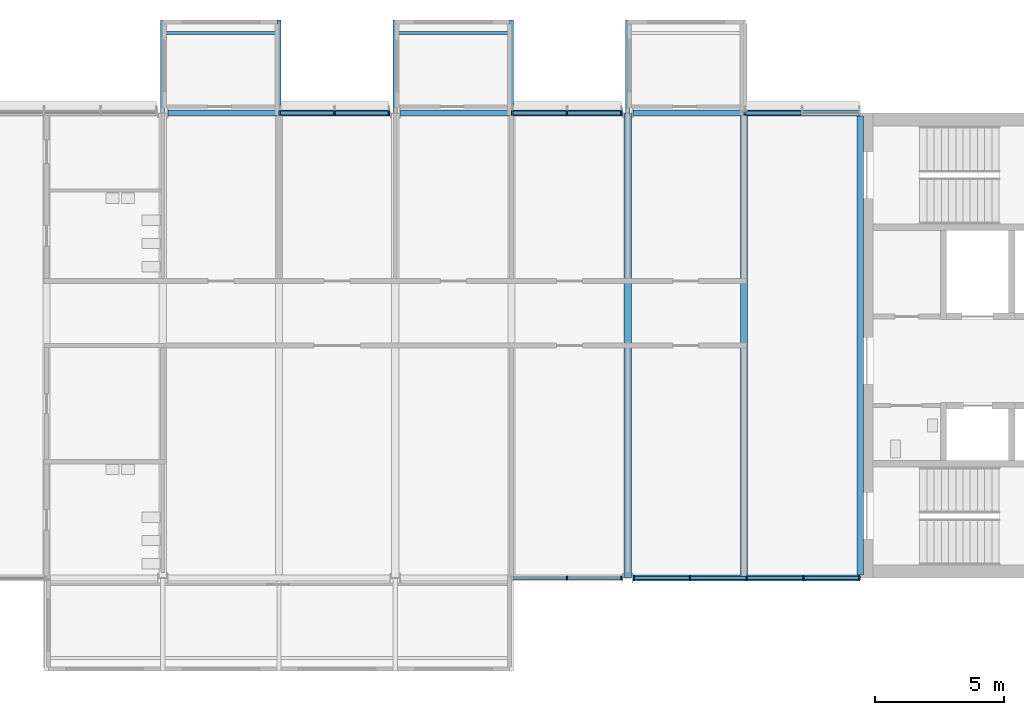
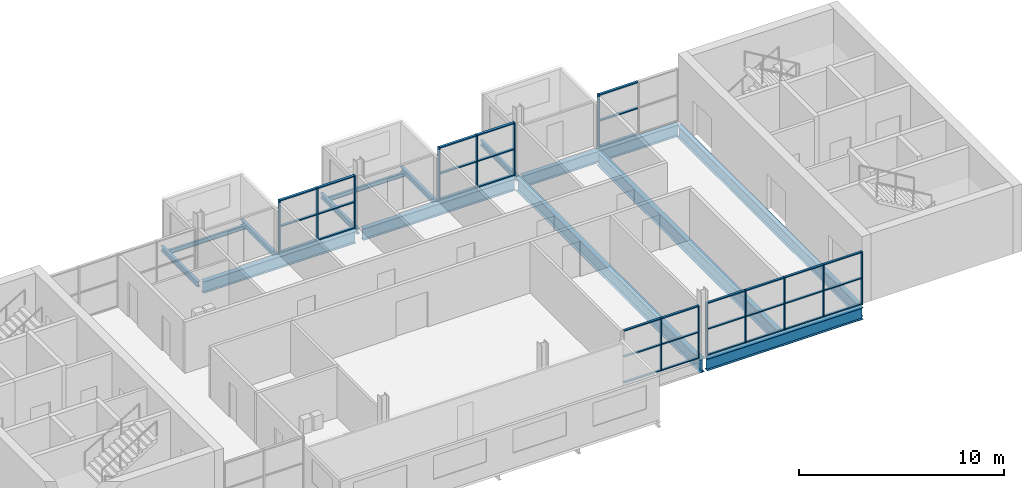
# One storey, part 2 of 12: 47 members, 14 beams, 5 elements without a shape of their own.
"""IFC4 building model written with IfcOpenShell, lengths in metres."""

from ifc_helpers import new_model, si_unit, direction, frame, origin, origin_2d, place, context, subcontext, project, spatial, rectangle, i_section, extrude, material, layer, layer_set, material_profile, profile_set, type_object, element, aggregate, save


model = new_model("IFC4")

# Units and contexts
model_context = context("Model", 3, precision=1e-05, world=origin(), true_north=direction((0.0, 1.0)))
body_context = subcontext(model_context, "Body", "Model", "MODEL_VIEW")
ifc_project = project(units=[si_unit("LENGTHUNIT", "METRE"), si_unit("AREAUNIT", "SQUARE_METRE"), si_unit("VOLUMEUNIT", "CUBIC_METRE"), si_unit("PLANEANGLEUNIT", "RADIAN"), si_unit("MASSUNIT", "GRAM", prefix="KILO")], contexts=[model_context])

# Site, building, storey
site_placement = place(None, origin())
site = spatial("IfcSite", under=ifc_project, at=site_placement, CompositionType="ELEMENT")
building_placement = place(site_placement, origin())
building = spatial("IfcBuilding", under=site, at=building_placement, Name="Corbel Yard City Hall", CompositionType="ELEMENT")
storey_placement = place(building_placement, frame((0.0, 0.0, 31.199951171875)))
storey = spatial("IfcBuildingStorey", under=building, at=storey_placement, Name="L07", CompositionType="ELEMENT", Elevation=31.199951171875)

# Beams
ifc_material_1 = material(Name="Steel Grade 350", Category="steel")
ifc_material_profile_1 = material_profile(ifc_material_1, i_section(OverallWidth=0.25, OverallDepth=0.699951171875, WebThickness=0.010009765625, FlangeThickness=0.02001953125, at=origin_2d()), Name="700WB130")
ifc_profile_set_1 = profile_set([ifc_material_profile_1], Name="Steel Grade 350")
beam_type_1 = type_object("IfcBeamType", Name="Edge beam 700WB130", PredefinedType="BEAM", material=ifc_profile_set_1)
beam_1_placement = place(storey_placement, frame((36.20703125, 99.0, -0.5), z_axis=(1.0, 0.0, 0.0), x_axis=(0.0, 1.0, 0.0)))
element("IfcBeam", 1, at=beam_1_placement, inside=storey, type_object=beam_type_1, Name="Edge beam 700WB130 EB9 L07tower", PredefinedType="BEAM", context=body_context, shape_type="SweptSolid", body=[
    extrude(i_section(OverallWidth=0.25, OverallDepth=0.699951171875, WebThickness=0.010009765625, FlangeThickness=0.02001953125, at=origin_2d()), origin(), (0.0, 0.0, 1.0), 8.79296875),
])
for number, where, z_axis, x_axis, name in (
    (2, (18.20703125, 117.0, -0.5), (1.0, 0.0, 0.0), (0.0, 1.0, 0.0), "Edge beam 700WB130 EB9 L07tower"),
    (3, (27.20703125, 117.0, -0.5), (1.0, 0.0, 0.0), (0.0, 1.0, 0.0), "Edge beam 700WB130 EB9 L07tower"),
):
    element("IfcBeam", number, at=place(storey_placement, frame(where, z_axis=z_axis, x_axis=x_axis)), inside=storey, type_object=beam_type_1, Name=name, PredefinedType="BEAM", context=body_context, shape_type="SweptSolid", body=[
        extrude(i_section(OverallWidth=0.25, OverallDepth=0.699951171875, WebThickness=0.010009765625, FlangeThickness=0.02001953125, at=origin_2d()), origin(), (0.0, 0.0, 1.0), 8.5859375),
    ])
beam_2_placement = place(storey_placement, frame((36.20703125, 117.0, -0.5), z_axis=(1.0, 0.0, 0.0), x_axis=(0.0, 1.0, 0.0)))
element("IfcBeam", 4, at=beam_2_placement, inside=storey, type_object=beam_type_1, Name="Edge beam 700WB130 EB9 L07tower", PredefinedType="BEAM", context=body_context, shape_type="SweptSolid", body=[
    extrude(i_section(OverallWidth=0.25, OverallDepth=0.699951171875, WebThickness=0.010009765625, FlangeThickness=0.02001953125, at=origin_2d()), origin(), (0.0, 0.0, 1.0), 8.79296875),
])
ifc_material_profile_2 = material_profile(ifc_material_1, i_section(OverallWidth=0.27490234375, OverallDepth=0.800048828125, WebThickness=0.010009765625, FlangeThickness=0.02001953125, at=origin_2d()), Name="800WB146")
ifc_profile_set_2 = profile_set([ifc_material_profile_2], Name="Steel Grade 350")
beam_type_2 = type_object("IfcBeamType", Name="Long-span beam 800WB146", PredefinedType="BEAM", material=ifc_profile_set_2)
beam_3_placement = place(storey_placement, frame((36.0, 99.012451171875, -0.550048828125), z_axis=(0.0, 1.0, 0.0), x_axis=(-1.0, 0.0, 0.0)))
element("IfcBeam", 5, at=beam_3_placement, inside=storey, type_object=beam_type_2, Name="Long-span beam 800WB146 SB8 L07tower", PredefinedType="BEAM", context=body_context, shape_type="SweptSolid", body=[
    extrude(i_section(OverallWidth=0.27490234375, OverallDepth=0.800048828125, WebThickness=0.010009765625, FlangeThickness=0.02001953125, at=origin_2d()), origin(), (0.0, 0.0, 1.0), 17.97509765625),
])
ifc_material_profile_3 = material_profile(ifc_material_1, i_section(OverallWidth=0.25, OverallDepth=0.7099609375, WebThickness=0.010009765625, FlangeThickness=0.02490234375, at=origin_2d()), Name="700WB150")
ifc_profile_set_3 = profile_set([ifc_material_profile_3], Name="Steel Grade 350")
beam_type_3 = type_object("IfcBeamType", Name="Long-span edge beam 700WB150", PredefinedType="BEAM", material=ifc_profile_set_3)
beam_4_placement = place(storey_placement, frame((45.0, 99.125, -0.5048828125), z_axis=(0.0, 1.0, 0.0), x_axis=(-1.0, 0.0, 0.0)))
element("IfcBeam", 6, at=beam_4_placement, inside=storey, type_object=beam_type_3, Name="Long-span edge beam 700WB150 EB8 L07tower", PredefinedType="BEAM", context=body_context, shape_type="SweptSolid", body=[
    extrude(i_section(OverallWidth=0.25, OverallDepth=0.7099609375, WebThickness=0.010009765625, FlangeThickness=0.02490234375, at=origin_2d()), origin(), (0.0, 0.0, 1.0), 17.75),
])
ifc_material_profile_4 = material_profile(ifc_material_1, i_section(OverallWidth=0.27490234375, OverallDepth=0.800048828125, WebThickness=0.010009765625, FlangeThickness=0.02001953125, at=origin_2d()), Name="800WB146")
ifc_profile_set_4 = profile_set([ifc_material_profile_4], Name="Steel Grade 350")
beam_type_4 = type_object("IfcBeamType", Name="Long-span secondary beam 800WB146", PredefinedType="JOIST", material=ifc_profile_set_4)
beam_5_placement = place(storey_placement, frame((40.5, 99.125, -0.550048828125), z_axis=(0.0, 1.0, 0.0), x_axis=(-1.0, 0.0, 0.0)))
element("IfcBeam", 7, at=beam_5_placement, inside=storey, type_object=beam_type_4, Name="Long-span secondary beam 800WB146 SB7 L07tower", PredefinedType="JOIST", context=body_context, shape_type="SweptSolid", body=[
    extrude(i_section(OverallWidth=0.27490234375, OverallDepth=0.800048828125, WebThickness=0.010009765625, FlangeThickness=0.02001953125, at=origin_2d()), origin(), (0.0, 0.0, 1.0), 17.75),
])

# Curtain wall, members
ifc_material_2 = material(Name="Aluminium extrusion", Category="aluminium")
ifc_layer_1 = layer(ifc_material_2, 0.14990234375)
ifc_layer_set_1 = layer_set([ifc_layer_1], Name="Aluminium extrusion")
curtain_wall_type_1 = type_object("IfcCurtainWallType", Name="CW2", PredefinedType="USERDEFINED", material=ifc_layer_set_1)
curtain_wall_1_placement = place(storey_placement, origin())
curtain_wall_1 = element("IfcCurtainWall", 8, at=curtain_wall_1_placement, inside=storey, type_object=curtain_wall_type_1, Name="Curtain wall CW2 L07", ObjectType="CURTAIN WALL", PredefinedType="USERDEFINED")
ifc_material_profile_5 = material_profile(ifc_material_2, rectangle(XDim=0.14990234375, YDim=0.06494140625, at=origin_2d()), Name="150x65")
ifc_profile_set_5 = profile_set([ifc_material_profile_5], Name="Aluminium extrusion")
member_type_1 = type_object("IfcMemberType", Name="ML2", PredefinedType="MULLION", material=ifc_profile_set_5)
member_1_placement = place(storey_placement, frame((33.646484375, 99.0, 0.0), z_axis=(0.0, 0.0, 1.0), x_axis=(0.0, 1.0, 0.0)))
member_1 = element("IfcMember", 9, at=member_1_placement, type_object=member_type_1, Name="CW2 mullion 2", PredefinedType="MULLION", context=body_context, shape_type="SweptSolid", body=[
    extrude(rectangle(XDim=0.14990234375, YDim=0.06494140625, at=origin_2d()), origin(), (0.0, 0.0, 1.0), 3.150146484375),
])
member_2_placement = place(storey_placement, frame((35.760498046875, 99.0, 0.0), z_axis=(0.0, 0.0, 1.0), x_axis=(0.0, 1.0, 0.0)))
member_2 = element("IfcMember", 10, at=member_2_placement, type_object=member_type_1, Name="CW2 mullion 3", PredefinedType="MULLION", context=body_context, shape_type="SweptSolid", body=[
    extrude(rectangle(XDim=0.14990234375, YDim=0.06494140625, at=origin_2d()), origin(), (0.0, 0.0, 1.0), 3.150146484375),
])

curtain_wall_2_placement = place(storey_placement, origin())
curtain_wall_2 = element("IfcCurtainWall", 11, at=curtain_wall_2_placement, inside=storey, type_object=curtain_wall_type_1, Name="Curtain wall CW2 L07", ObjectType="CURTAIN WALL", PredefinedType="USERDEFINED")
member_3_placement = place(storey_placement, frame((36.239501953125, 99.0, 0.0), z_axis=(0.0, 0.0, 1.0), x_axis=(0.0, 1.0, 0.0)))
member_3 = element("IfcMember", 12, at=member_3_placement, type_object=member_type_1, Name="CW2 mullion 1", PredefinedType="MULLION", context=body_context, shape_type="SweptSolid", body=[
    extrude(rectangle(XDim=0.14990234375, YDim=0.06494140625, at=origin_2d()), origin(), (0.0, 0.0, 1.0), 3.150146484375),
])
member_4_placement = place(storey_placement, frame((38.4052734375, 99.0, 0.0), z_axis=(0.0, 0.0, 1.0), x_axis=(0.0, 1.0, 0.0)))
member_4 = element("IfcMember", 13, at=member_4_placement, type_object=member_type_1, Name="CW2 mullion 2", PredefinedType="MULLION", context=body_context, shape_type="SweptSolid", body=[
    extrude(rectangle(XDim=0.14990234375, YDim=0.06494140625, at=origin_2d()), origin(), (0.0, 0.0, 1.0), 3.150146484375),
])
member_5_placement = place(storey_placement, frame((40.603515625, 99.0, 0.0), z_axis=(0.0, 0.0, 1.0), x_axis=(0.0, 1.0, 0.0)))
member_5 = element("IfcMember", 14, at=member_5_placement, type_object=member_type_1, Name="CW2 mullion 3", PredefinedType="MULLION", context=body_context, shape_type="SweptSolid", body=[
    extrude(rectangle(XDim=0.14990234375, YDim=0.06494140625, at=origin_2d()), origin(), (0.0, 0.0, 1.0), 3.150146484375),
])
member_6_placement = place(storey_placement, frame((42.8017578125, 99.0, 0.0), z_axis=(0.0, 0.0, 1.0), x_axis=(0.0, 1.0, 0.0)))
member_6 = element("IfcMember", 15, at=member_6_placement, type_object=member_type_1, Name="CW2 mullion 4", PredefinedType="MULLION", context=body_context, shape_type="SweptSolid", body=[
    extrude(rectangle(XDim=0.14990234375, YDim=0.06494140625, at=origin_2d()), origin(), (0.0, 0.0, 1.0), 3.150146484375),
])
member_7_placement = place(storey_placement, frame((44.967529296875, 99.0, 0.0), z_axis=(0.0, 0.0, 1.0), x_axis=(0.0, 1.0, 0.0)))
member_7 = element("IfcMember", 16, at=member_7_placement, type_object=member_type_1, Name="CW2 mullion 5", PredefinedType="MULLION", context=body_context, shape_type="SweptSolid", body=[
    extrude(rectangle(XDim=0.14990234375, YDim=0.06494140625, at=origin_2d()), origin(), (0.0, 0.0, 1.0), 3.150146484375),
])

ifc_layer_2 = layer(ifc_material_2, 0.179931640625)
ifc_layer_set_2 = layer_set([ifc_layer_2], Name="Aluminium extrusion")
curtain_wall_type_2 = type_object("IfcCurtainWallType", Name="CW6", PredefinedType="USERDEFINED", material=ifc_layer_set_2)
curtain_wall_3_placement = place(storey_placement, origin())
curtain_wall_3 = element("IfcCurtainWall", 17, at=curtain_wall_3_placement, inside=storey, type_object=curtain_wall_type_2, Name="Curtain wall CW6 L07", ObjectType="CURTAIN WALL", PredefinedType="USERDEFINED")
ifc_material_profile_6 = material_profile(ifc_material_2, rectangle(XDim=0.179931640625, YDim=0.06494140625, at=origin_2d()), Name="180x65")
ifc_profile_set_6 = profile_set([ifc_material_profile_6], Name="Aluminium extrusion")
member_type_2 = type_object("IfcMemberType", Name="ML6", PredefinedType="MULLION", material=ifc_profile_set_6)
member_8_placement = place(storey_placement, frame((22.532470703125, 117.0, 0.0), z_axis=(0.0, 0.0, 1.0), x_axis=(0.0, 1.0, 0.0)))
member_8 = element("IfcMember", 18, at=member_8_placement, type_object=member_type_2, Name="CW6 mullion 1", PredefinedType="MULLION", context=body_context, shape_type="SweptSolid", body=[
    extrude(rectangle(XDim=0.179931640625, YDim=0.06494140625, at=origin_2d()), origin(), (0.0, 0.0, 1.0), 3.150146484375),
])
member_9_placement = place(storey_placement, frame((24.646484375, 117.0, 0.0), z_axis=(0.0, 0.0, 1.0), x_axis=(0.0, 1.0, 0.0)))
member_9 = element("IfcMember", 19, at=member_9_placement, type_object=member_type_2, Name="CW6 mullion 2", PredefinedType="MULLION", context=body_context, shape_type="SweptSolid", body=[
    extrude(rectangle(XDim=0.179931640625, YDim=0.06494140625, at=origin_2d()), origin(), (0.0, 0.0, 1.0), 3.150146484375),
])
member_10_placement = place(storey_placement, frame((26.760498046875, 117.0, 0.0), z_axis=(0.0, 0.0, 1.0), x_axis=(0.0, 1.0, 0.0)))
member_10 = element("IfcMember", 20, at=member_10_placement, type_object=member_type_2, Name="CW6 mullion 3", PredefinedType="MULLION", context=body_context, shape_type="SweptSolid", body=[
    extrude(rectangle(XDim=0.179931640625, YDim=0.06494140625, at=origin_2d()), origin(), (0.0, 0.0, 1.0), 3.150146484375),
])

curtain_wall_4_placement = place(storey_placement, origin())
curtain_wall_4 = element("IfcCurtainWall", 21, at=curtain_wall_4_placement, inside=storey, type_object=curtain_wall_type_2, Name="Curtain wall CW6 L07", ObjectType="CURTAIN WALL", PredefinedType="USERDEFINED")
member_11_placement = place(storey_placement, frame((31.532470703125, 117.0, 0.0), z_axis=(0.0, 0.0, 1.0), x_axis=(0.0, 1.0, 0.0)))
member_11 = element("IfcMember", 22, at=member_11_placement, type_object=member_type_2, Name="CW6 mullion 1", PredefinedType="MULLION", context=body_context, shape_type="SweptSolid", body=[
    extrude(rectangle(XDim=0.179931640625, YDim=0.06494140625, at=origin_2d()), origin(), (0.0, 0.0, 1.0), 3.150146484375),
])
member_12_placement = place(storey_placement, frame((33.646484375, 117.0, 0.0), z_axis=(0.0, 0.0, 1.0), x_axis=(0.0, 1.0, 0.0)))
member_12 = element("IfcMember", 23, at=member_12_placement, type_object=member_type_2, Name="CW6 mullion 2", PredefinedType="MULLION", context=body_context, shape_type="SweptSolid", body=[
    extrude(rectangle(XDim=0.179931640625, YDim=0.06494140625, at=origin_2d()), origin(), (0.0, 0.0, 1.0), 3.150146484375),
])
member_13_placement = place(storey_placement, frame((35.760498046875, 117.0, 0.0), z_axis=(0.0, 0.0, 1.0), x_axis=(0.0, 1.0, 0.0)))
member_13 = element("IfcMember", 24, at=member_13_placement, type_object=member_type_2, Name="CW6 mullion 3", PredefinedType="MULLION", context=body_context, shape_type="SweptSolid", body=[
    extrude(rectangle(XDim=0.179931640625, YDim=0.06494140625, at=origin_2d()), origin(), (0.0, 0.0, 1.0), 3.150146484375),
])

# Curtain wall, member
curtain_wall_5_placement = place(storey_placement, origin())
curtain_wall_5 = element("IfcCurtainWall", 25, at=curtain_wall_5_placement, inside=storey, type_object=curtain_wall_type_2, Name="Curtain wall CW6 L07", ObjectType="CURTAIN WALL", PredefinedType="USERDEFINED")
member_14_placement = place(storey_placement, frame((40.532470703125, 117.0, 0.0), z_axis=(0.0, 0.0, 1.0), x_axis=(0.0, 1.0, 0.0)))
member_14 = element("IfcMember", 26, at=member_14_placement, type_object=member_type_2, Name="CW6 mullion 1", PredefinedType="MULLION", context=body_context, shape_type="SweptSolid", body=[
    extrude(rectangle(XDim=0.179931640625, YDim=0.06494140625, at=origin_2d()), origin(), (0.0, 0.0, 1.0), 3.150146484375),
])

# Beams
ifc_material_3 = material(Name="Steel Grade 300 (300 MPa yield)", Category="steel")
ifc_material_profile_7 = material_profile(ifc_material_3, i_section(OverallWidth=0.166015625, OverallDepth=0.306884765625, WebThickness=0.006591796875, FlangeThickness=0.01171875, at=origin_2d()), Name="310UB46.2")
ifc_profile_set_7 = profile_set([ifc_material_profile_7], Name="Steel Grade 300 (300 MPa yield)")
beam_type_5 = type_object("IfcBeamType", Name="Pod stub beam 310UB46.2", PredefinedType="BEAM", material=ifc_profile_set_7)
beam_6_placement = place(storey_placement, frame((18.0, 117.012451171875, -0.303466796875), z_axis=(0.0, 1.0, 0.0), x_axis=(-1.0, 0.0, 0.0)))
element("IfcBeam", 27, at=beam_6_placement, inside=storey, type_object=beam_type_5, Name="Pod stub 310UB46.2 CB1 L07", PredefinedType="BEAM", context=body_context, shape_type="SweptSolid", body=[
    extrude(i_section(OverallWidth=0.166015625, OverallDepth=0.306884765625, WebThickness=0.006591796875, FlangeThickness=0.01171875, at=origin_2d()), origin(), (0.0, 0.0, 1.0), 3.587646484375),
])
beam_7_placement = place(storey_placement, frame((22.5, 117.125, -0.303466796875), z_axis=(0.0, 1.0, 0.0), x_axis=(-1.0, 0.0, 0.0)))
element("IfcBeam", 28, at=beam_7_placement, inside=storey, type_object=beam_type_5, Name="Pod stub 310UB46.2 CB1 L07", PredefinedType="BEAM", context=body_context, shape_type="SweptSolid", body=[
    extrude(i_section(OverallWidth=0.166015625, OverallDepth=0.306884765625, WebThickness=0.006591796875, FlangeThickness=0.01171875, at=origin_2d()), origin(), (0.0, 0.0, 1.0), 3.47509765625),
])
beam_8_placement = place(storey_placement, frame((27.0, 117.012451171875, -0.303466796875), z_axis=(0.0, 1.0, 0.0), x_axis=(-1.0, 0.0, 0.0)))
element("IfcBeam", 29, at=beam_8_placement, inside=storey, type_object=beam_type_5, Name="Pod stub 310UB46.2 CB1 L07", PredefinedType="BEAM", context=body_context, shape_type="SweptSolid", body=[
    extrude(i_section(OverallWidth=0.166015625, OverallDepth=0.306884765625, WebThickness=0.006591796875, FlangeThickness=0.01171875, at=origin_2d()), origin(), (0.0, 0.0, 1.0), 3.587646484375),
])
beam_9_placement = place(storey_placement, frame((31.5, 117.125, -0.303466796875), z_axis=(0.0, 1.0, 0.0), x_axis=(-1.0, 0.0, 0.0)))
element("IfcBeam", 30, at=beam_9_placement, inside=storey, type_object=beam_type_5, Name="Pod stub 310UB46.2 CB1 L07", PredefinedType="BEAM", context=body_context, shape_type="SweptSolid", body=[
    extrude(i_section(OverallWidth=0.166015625, OverallDepth=0.306884765625, WebThickness=0.006591796875, FlangeThickness=0.01171875, at=origin_2d()), origin(), (0.0, 0.0, 1.0), 3.47509765625),
])
beam_10_placement = place(storey_placement, frame((36.0, 117.012451171875, -0.303466796875), z_axis=(0.0, 1.0, 0.0), x_axis=(-1.0, 0.0, 0.0)))
element("IfcBeam", 31, at=beam_10_placement, inside=storey, type_object=beam_type_5, Name="Pod stub 310UB46.2 CB1 L07", PredefinedType="BEAM", context=body_context, shape_type="SweptSolid", body=[
    extrude(i_section(OverallWidth=0.166015625, OverallDepth=0.306884765625, WebThickness=0.006591796875, FlangeThickness=0.01171875, at=origin_2d()), origin(), (0.0, 0.0, 1.0), 3.587646484375),
])
ifc_material_profile_8 = material_profile(ifc_material_3, i_section(OverallWidth=0.1240234375, OverallDepth=0.248046875, WebThickness=0.0048828125, FlangeThickness=0.008056640625, at=origin_2d()), Name="250UB25.7")
ifc_profile_set_8 = profile_set([ifc_material_profile_8], Name="Steel Grade 300 (300 MPa yield)")
beam_type_6 = type_object("IfcBeamType", Name="Pod tip beam", PredefinedType="BEAM", material=ifc_profile_set_8)
for number, where, z_axis, x_axis, name in (
    (32, (18.0830078125, 120.10009765625, -0.27392578125), (1.0, 0.0, 0.0), (0.0, 1.0, 0.0), "Pod tip beam"),
    (33, (27.0830078125, 120.10009765625, -0.27392578125), (1.0, 0.0, 0.0), (0.0, 1.0, 0.0), "Pod tip beam"),
):
    element("IfcBeam", number, at=place(storey_placement, frame(where, z_axis=z_axis, x_axis=x_axis)), inside=storey, type_object=beam_type_6, Name=name, PredefinedType="BEAM", context=body_context, shape_type="SweptSolid", body=[
        extrude(i_section(OverallWidth=0.1240234375, OverallDepth=0.248046875, WebThickness=0.0048828125, FlangeThickness=0.008056640625, at=origin_2d()), origin(), (0.0, 0.0, 1.0), 4.333984375),
    ])

# Member
ifc_material_profile_9 = material_profile(ifc_material_2, rectangle(XDim=0.1201171875, YDim=0.06494140625, at=origin_2d()), Name="120x65")
ifc_profile_set_9 = profile_set([ifc_material_profile_9], Name="Aluminium extrusion")
member_type_3 = type_object("IfcMemberType", Name="TR2", PredefinedType="USERDEFINED", material=ifc_profile_set_9)
member_15_placement = place(storey_placement, frame((31.56494140625, 99.0, 0.032470703125), z_axis=(1.0, 0.0, 0.0), x_axis=(0.0, 1.0, 0.0)))
member_15 = element("IfcMember", 34, at=member_15_placement, type_object=member_type_3, Name="CW2 transom 1.1", ObjectType="TRANSOM", PredefinedType="USERDEFINED", context=body_context, shape_type="SweptSolid", body=[
    extrude(rectangle(XDim=0.1201171875, YDim=0.06494140625, at=origin_2d()), origin(), (0.0, 0.0, 1.0), 2.049072265625),
])

member_16_placement = place(storey_placement, frame((31.56494140625, 99.0, 1.574951171875), z_axis=(1.0, 0.0, 0.0), x_axis=(0.0, 1.0, 0.0)))
member_16 = element("IfcMember", 35, at=member_16_placement, type_object=member_type_3, Name="CW2 transom 1.2", ObjectType="TRANSOM", PredefinedType="USERDEFINED", context=body_context, shape_type="SweptSolid", body=[
    extrude(rectangle(XDim=0.1201171875, YDim=0.06494140625, at=origin_2d()), origin(), (0.0, 0.0, 1.0), 2.049072265625),
])

member_17_placement = place(storey_placement, frame((31.56494140625, 99.0, 3.117431640625), z_axis=(1.0, 0.0, 0.0), x_axis=(0.0, 1.0, 0.0)))
member_17 = element("IfcMember", 36, at=member_17_placement, type_object=member_type_3, Name="CW2 transom 1.3", ObjectType="TRANSOM", PredefinedType="USERDEFINED", context=body_context, shape_type="SweptSolid", body=[
    extrude(rectangle(XDim=0.1201171875, YDim=0.06494140625, at=origin_2d()), origin(), (0.0, 0.0, 1.0), 2.049072265625),
])

member_18_placement = place(storey_placement, frame((33.678955078125, 99.0, 0.032470703125), z_axis=(1.0, 0.0, 0.0), x_axis=(0.0, 1.0, 0.0)))
member_18 = element("IfcMember", 37, at=member_18_placement, type_object=member_type_3, Name="CW2 transom 2.1", ObjectType="TRANSOM", PredefinedType="USERDEFINED", context=body_context, shape_type="SweptSolid", body=[
    extrude(rectangle(XDim=0.1201171875, YDim=0.06494140625, at=origin_2d()), origin(), (0.0, 0.0, 1.0), 2.049072265625),
])

member_19_placement = place(storey_placement, frame((33.678955078125, 99.0, 1.574951171875), z_axis=(1.0, 0.0, 0.0), x_axis=(0.0, 1.0, 0.0)))
member_19 = element("IfcMember", 38, at=member_19_placement, type_object=member_type_3, Name="CW2 transom 2.2", ObjectType="TRANSOM", PredefinedType="USERDEFINED", context=body_context, shape_type="SweptSolid", body=[
    extrude(rectangle(XDim=0.1201171875, YDim=0.06494140625, at=origin_2d()), origin(), (0.0, 0.0, 1.0), 2.049072265625),
])

member_20_placement = place(storey_placement, frame((33.678955078125, 99.0, 3.117431640625), z_axis=(1.0, 0.0, 0.0), x_axis=(0.0, 1.0, 0.0)))
member_20 = element("IfcMember", 39, at=member_20_placement, type_object=member_type_3, Name="CW2 transom 2.3", ObjectType="TRANSOM", PredefinedType="USERDEFINED", context=body_context, shape_type="SweptSolid", body=[
    extrude(rectangle(XDim=0.1201171875, YDim=0.06494140625, at=origin_2d()), origin(), (0.0, 0.0, 1.0), 2.049072265625),
])

aggregate(curtain_wall_1, [member_1, member_2, member_15, member_16, member_17, member_18, member_19, member_20])

member_21_placement = place(storey_placement, frame((36.27197265625, 99.0, 0.032470703125), z_axis=(1.0, 0.0, 0.0), x_axis=(0.0, 1.0, 0.0)))
member_21 = element("IfcMember", 40, at=member_21_placement, type_object=member_type_3, Name="CW2 transom 1.1", ObjectType="TRANSOM", PredefinedType="USERDEFINED", context=body_context, shape_type="SweptSolid", body=[
    extrude(rectangle(XDim=0.1201171875, YDim=0.06494140625, at=origin_2d()), origin(), (0.0, 0.0, 1.0), 2.100830078125),
])

member_22_placement = place(storey_placement, frame((36.27197265625, 99.0, 1.574951171875), z_axis=(1.0, 0.0, 0.0), x_axis=(0.0, 1.0, 0.0)))
member_22 = element("IfcMember", 41, at=member_22_placement, type_object=member_type_3, Name="CW2 transom 1.2", ObjectType="TRANSOM", PredefinedType="USERDEFINED", context=body_context, shape_type="SweptSolid", body=[
    extrude(rectangle(XDim=0.1201171875, YDim=0.06494140625, at=origin_2d()), origin(), (0.0, 0.0, 1.0), 2.100830078125),
])

member_23_placement = place(storey_placement, frame((36.27197265625, 99.0, 3.117431640625), z_axis=(1.0, 0.0, 0.0), x_axis=(0.0, 1.0, 0.0)))
member_23 = element("IfcMember", 42, at=member_23_placement, type_object=member_type_3, Name="CW2 transom 1.3", ObjectType="TRANSOM", PredefinedType="USERDEFINED", context=body_context, shape_type="SweptSolid", body=[
    extrude(rectangle(XDim=0.1201171875, YDim=0.06494140625, at=origin_2d()), origin(), (0.0, 0.0, 1.0), 2.100830078125),
])

member_24_placement = place(storey_placement, frame((38.437744140625, 99.0, 0.032470703125), z_axis=(1.0, 0.0, 0.0), x_axis=(0.0, 1.0, 0.0)))
member_24 = element("IfcMember", 43, at=member_24_placement, type_object=member_type_3, Name="CW2 transom 2.1", ObjectType="TRANSOM", PredefinedType="USERDEFINED", context=body_context, shape_type="SweptSolid", body=[
    extrude(rectangle(XDim=0.1201171875, YDim=0.06494140625, at=origin_2d()), origin(), (0.0, 0.0, 1.0), 2.13330078125),
])

member_25_placement = place(storey_placement, frame((38.437744140625, 99.0, 1.574951171875), z_axis=(1.0, 0.0, 0.0), x_axis=(0.0, 1.0, 0.0)))
member_25 = element("IfcMember", 44, at=member_25_placement, type_object=member_type_3, Name="CW2 transom 2.2", ObjectType="TRANSOM", PredefinedType="USERDEFINED", context=body_context, shape_type="SweptSolid", body=[
    extrude(rectangle(XDim=0.1201171875, YDim=0.06494140625, at=origin_2d()), origin(), (0.0, 0.0, 1.0), 2.13330078125),
])

member_26_placement = place(storey_placement, frame((38.437744140625, 99.0, 3.117431640625), z_axis=(1.0, 0.0, 0.0), x_axis=(0.0, 1.0, 0.0)))
member_26 = element("IfcMember", 45, at=member_26_placement, type_object=member_type_3, Name="CW2 transom 2.3", ObjectType="TRANSOM", PredefinedType="USERDEFINED", context=body_context, shape_type="SweptSolid", body=[
    extrude(rectangle(XDim=0.1201171875, YDim=0.06494140625, at=origin_2d()), origin(), (0.0, 0.0, 1.0), 2.13330078125),
])

member_27_placement = place(storey_placement, frame((40.635986328125, 99.0, 0.032470703125), z_axis=(1.0, 0.0, 0.0), x_axis=(0.0, 1.0, 0.0)))
member_27 = element("IfcMember", 46, at=member_27_placement, type_object=member_type_3, Name="CW2 transom 3.1", ObjectType="TRANSOM", PredefinedType="USERDEFINED", context=body_context, shape_type="SweptSolid", body=[
    extrude(rectangle(XDim=0.1201171875, YDim=0.06494140625, at=origin_2d()), origin(), (0.0, 0.0, 1.0), 2.13330078125),
])

member_28_placement = place(storey_placement, frame((40.635986328125, 99.0, 1.574951171875), z_axis=(1.0, 0.0, 0.0), x_axis=(0.0, 1.0, 0.0)))
member_28 = element("IfcMember", 47, at=member_28_placement, type_object=member_type_3, Name="CW2 transom 3.2", ObjectType="TRANSOM", PredefinedType="USERDEFINED", context=body_context, shape_type="SweptSolid", body=[
    extrude(rectangle(XDim=0.1201171875, YDim=0.06494140625, at=origin_2d()), origin(), (0.0, 0.0, 1.0), 2.13330078125),
])

member_29_placement = place(storey_placement, frame((40.635986328125, 99.0, 3.117431640625), z_axis=(1.0, 0.0, 0.0), x_axis=(0.0, 1.0, 0.0)))
member_29 = element("IfcMember", 48, at=member_29_placement, type_object=member_type_3, Name="CW2 transom 3.3", ObjectType="TRANSOM", PredefinedType="USERDEFINED", context=body_context, shape_type="SweptSolid", body=[
    extrude(rectangle(XDim=0.1201171875, YDim=0.06494140625, at=origin_2d()), origin(), (0.0, 0.0, 1.0), 2.13330078125),
])

member_30_placement = place(storey_placement, frame((42.834228515625, 99.0, 0.032470703125), z_axis=(1.0, 0.0, 0.0), x_axis=(0.0, 1.0, 0.0)))
member_30 = element("IfcMember", 49, at=member_30_placement, type_object=member_type_3, Name="CW2 transom 4.1", ObjectType="TRANSOM", PredefinedType="USERDEFINED", context=body_context, shape_type="SweptSolid", body=[
    extrude(rectangle(XDim=0.1201171875, YDim=0.06494140625, at=origin_2d()), origin(), (0.0, 0.0, 1.0), 2.100830078125),
])

member_31_placement = place(storey_placement, frame((42.834228515625, 99.0, 1.574951171875), z_axis=(1.0, 0.0, 0.0), x_axis=(0.0, 1.0, 0.0)))
member_31 = element("IfcMember", 50, at=member_31_placement, type_object=member_type_3, Name="CW2 transom 4.2", ObjectType="TRANSOM", PredefinedType="USERDEFINED", context=body_context, shape_type="SweptSolid", body=[
    extrude(rectangle(XDim=0.1201171875, YDim=0.06494140625, at=origin_2d()), origin(), (0.0, 0.0, 1.0), 2.100830078125),
])

member_32_placement = place(storey_placement, frame((42.834228515625, 99.0, 3.117431640625), z_axis=(1.0, 0.0, 0.0), x_axis=(0.0, 1.0, 0.0)))
member_32 = element("IfcMember", 51, at=member_32_placement, type_object=member_type_3, Name="CW2 transom 4.3", ObjectType="TRANSOM", PredefinedType="USERDEFINED", context=body_context, shape_type="SweptSolid", body=[
    extrude(rectangle(XDim=0.1201171875, YDim=0.06494140625, at=origin_2d()), origin(), (0.0, 0.0, 1.0), 2.100830078125),
])

aggregate(curtain_wall_2, [member_3, member_4, member_5, member_6, member_7, member_21, member_22, member_23, member_24, member_25, member_26, member_27, member_28, member_29, member_30, member_31, member_32])

ifc_material_profile_10 = material_profile(ifc_material_2, rectangle(XDim=0.139892578125, YDim=0.06494140625, at=origin_2d()), Name="140x65")
ifc_profile_set_10 = profile_set([ifc_material_profile_10], Name="Aluminium extrusion")
member_type_4 = type_object("IfcMemberType", Name="TR6", PredefinedType="USERDEFINED", material=ifc_profile_set_10)
member_33_placement = place(storey_placement, frame((22.56494140625, 117.0, 0.032470703125), z_axis=(1.0, 0.0, 0.0), x_axis=(0.0, 1.0, 0.0)))
member_33 = element("IfcMember", 52, at=member_33_placement, type_object=member_type_4, Name="CW6 transom 1.1", ObjectType="TRANSOM", PredefinedType="USERDEFINED", context=body_context, shape_type="SweptSolid", body=[
    extrude(rectangle(XDim=0.139892578125, YDim=0.06494140625, at=origin_2d()), origin(), (0.0, 0.0, 1.0), 2.049072265625),
])

member_34_placement = place(storey_placement, frame((22.56494140625, 117.0, 1.574951171875), z_axis=(1.0, 0.0, 0.0), x_axis=(0.0, 1.0, 0.0)))
member_34 = element("IfcMember", 53, at=member_34_placement, type_object=member_type_4, Name="CW6 transom 1.2", ObjectType="TRANSOM", PredefinedType="USERDEFINED", context=body_context, shape_type="SweptSolid", body=[
    extrude(rectangle(XDim=0.139892578125, YDim=0.06494140625, at=origin_2d()), origin(), (0.0, 0.0, 1.0), 2.049072265625),
])

member_35_placement = place(storey_placement, frame((22.56494140625, 117.0, 3.117431640625), z_axis=(1.0, 0.0, 0.0), x_axis=(0.0, 1.0, 0.0)))
member_35 = element("IfcMember", 54, at=member_35_placement, type_object=member_type_4, Name="CW6 transom 1.3", ObjectType="TRANSOM", PredefinedType="USERDEFINED", context=body_context, shape_type="SweptSolid", body=[
    extrude(rectangle(XDim=0.139892578125, YDim=0.06494140625, at=origin_2d()), origin(), (0.0, 0.0, 1.0), 2.049072265625),
])

member_36_placement = place(storey_placement, frame((24.678955078125, 117.0, 0.032470703125), z_axis=(1.0, 0.0, 0.0), x_axis=(0.0, 1.0, 0.0)))
member_36 = element("IfcMember", 55, at=member_36_placement, type_object=member_type_4, Name="CW6 transom 2.1", ObjectType="TRANSOM", PredefinedType="USERDEFINED", context=body_context, shape_type="SweptSolid", body=[
    extrude(rectangle(XDim=0.139892578125, YDim=0.06494140625, at=origin_2d()), origin(), (0.0, 0.0, 1.0), 2.049072265625),
])

member_37_placement = place(storey_placement, frame((24.678955078125, 117.0, 1.574951171875), z_axis=(1.0, 0.0, 0.0), x_axis=(0.0, 1.0, 0.0)))
member_37 = element("IfcMember", 56, at=member_37_placement, type_object=member_type_4, Name="CW6 transom 2.2", ObjectType="TRANSOM", PredefinedType="USERDEFINED", context=body_context, shape_type="SweptSolid", body=[
    extrude(rectangle(XDim=0.139892578125, YDim=0.06494140625, at=origin_2d()), origin(), (0.0, 0.0, 1.0), 2.049072265625),
])

member_38_placement = place(storey_placement, frame((24.678955078125, 117.0, 3.117431640625), z_axis=(1.0, 0.0, 0.0), x_axis=(0.0, 1.0, 0.0)))
member_38 = element("IfcMember", 57, at=member_38_placement, type_object=member_type_4, Name="CW6 transom 2.3", ObjectType="TRANSOM", PredefinedType="USERDEFINED", context=body_context, shape_type="SweptSolid", body=[
    extrude(rectangle(XDim=0.139892578125, YDim=0.06494140625, at=origin_2d()), origin(), (0.0, 0.0, 1.0), 2.049072265625),
])

aggregate(curtain_wall_3, [member_8, member_9, member_10, member_33, member_34, member_35, member_36, member_37, member_38])

member_39_placement = place(storey_placement, frame((31.56494140625, 117.0, 0.032470703125), z_axis=(1.0, 0.0, 0.0), x_axis=(0.0, 1.0, 0.0)))
member_39 = element("IfcMember", 58, at=member_39_placement, type_object=member_type_4, Name="CW6 transom 1.1", ObjectType="TRANSOM", PredefinedType="USERDEFINED", context=body_context, shape_type="SweptSolid", body=[
    extrude(rectangle(XDim=0.139892578125, YDim=0.06494140625, at=origin_2d()), origin(), (0.0, 0.0, 1.0), 2.049072265625),
])

member_40_placement = place(storey_placement, frame((31.56494140625, 117.0, 1.574951171875), z_axis=(1.0, 0.0, 0.0), x_axis=(0.0, 1.0, 0.0)))
member_40 = element("IfcMember", 59, at=member_40_placement, type_object=member_type_4, Name="CW6 transom 1.2", ObjectType="TRANSOM", PredefinedType="USERDEFINED", context=body_context, shape_type="SweptSolid", body=[
    extrude(rectangle(XDim=0.139892578125, YDim=0.06494140625, at=origin_2d()), origin(), (0.0, 0.0, 1.0), 2.049072265625),
])

member_41_placement = place(storey_placement, frame((31.56494140625, 117.0, 3.117431640625), z_axis=(1.0, 0.0, 0.0), x_axis=(0.0, 1.0, 0.0)))
member_41 = element("IfcMember", 60, at=member_41_placement, type_object=member_type_4, Name="CW6 transom 1.3", ObjectType="TRANSOM", PredefinedType="USERDEFINED", context=body_context, shape_type="SweptSolid", body=[
    extrude(rectangle(XDim=0.139892578125, YDim=0.06494140625, at=origin_2d()), origin(), (0.0, 0.0, 1.0), 2.049072265625),
])

member_42_placement = place(storey_placement, frame((33.678955078125, 117.0, 0.032470703125), z_axis=(1.0, 0.0, 0.0), x_axis=(0.0, 1.0, 0.0)))
member_42 = element("IfcMember", 61, at=member_42_placement, type_object=member_type_4, Name="CW6 transom 2.1", ObjectType="TRANSOM", PredefinedType="USERDEFINED", context=body_context, shape_type="SweptSolid", body=[
    extrude(rectangle(XDim=0.139892578125, YDim=0.06494140625, at=origin_2d()), origin(), (0.0, 0.0, 1.0), 2.049072265625),
])

member_43_placement = place(storey_placement, frame((33.678955078125, 117.0, 1.574951171875), z_axis=(1.0, 0.0, 0.0), x_axis=(0.0, 1.0, 0.0)))
member_43 = element("IfcMember", 62, at=member_43_placement, type_object=member_type_4, Name="CW6 transom 2.2", ObjectType="TRANSOM", PredefinedType="USERDEFINED", context=body_context, shape_type="SweptSolid", body=[
    extrude(rectangle(XDim=0.139892578125, YDim=0.06494140625, at=origin_2d()), origin(), (0.0, 0.0, 1.0), 2.049072265625),
])

member_44_placement = place(storey_placement, frame((33.678955078125, 117.0, 3.117431640625), z_axis=(1.0, 0.0, 0.0), x_axis=(0.0, 1.0, 0.0)))
member_44 = element("IfcMember", 63, at=member_44_placement, type_object=member_type_4, Name="CW6 transom 2.3", ObjectType="TRANSOM", PredefinedType="USERDEFINED", context=body_context, shape_type="SweptSolid", body=[
    extrude(rectangle(XDim=0.139892578125, YDim=0.06494140625, at=origin_2d()), origin(), (0.0, 0.0, 1.0), 2.049072265625),
])

aggregate(curtain_wall_4, [member_11, member_12, member_13, member_39, member_40, member_41, member_42, member_43, member_44])

member_45_placement = place(storey_placement, frame((40.56494140625, 117.0, 0.032470703125), z_axis=(1.0, 0.0, 0.0), x_axis=(0.0, 1.0, 0.0)))
member_45 = element("IfcMember", 64, at=member_45_placement, type_object=member_type_4, Name="CW6 transom 1.1", ObjectType="TRANSOM", PredefinedType="USERDEFINED", context=body_context, shape_type="SweptSolid", body=[
    extrude(rectangle(XDim=0.139892578125, YDim=0.06494140625, at=origin_2d()), origin(), (0.0, 0.0, 1.0), 2.152587890625),
])

member_46_placement = place(storey_placement, frame((40.56494140625, 117.0, 1.574951171875), z_axis=(1.0, 0.0, 0.0), x_axis=(0.0, 1.0, 0.0)))
member_46 = element("IfcMember", 65, at=member_46_placement, type_object=member_type_4, Name="CW6 transom 1.2", ObjectType="TRANSOM", PredefinedType="USERDEFINED", context=body_context, shape_type="SweptSolid", body=[
    extrude(rectangle(XDim=0.139892578125, YDim=0.06494140625, at=origin_2d()), origin(), (0.0, 0.0, 1.0), 2.152587890625),
])

member_47_placement = place(storey_placement, frame((40.56494140625, 117.0, 3.117431640625), z_axis=(1.0, 0.0, 0.0), x_axis=(0.0, 1.0, 0.0)))
member_47 = element("IfcMember", 66, at=member_47_placement, type_object=member_type_4, Name="CW6 transom 1.3", ObjectType="TRANSOM", PredefinedType="USERDEFINED", context=body_context, shape_type="SweptSolid", body=[
    extrude(rectangle(XDim=0.139892578125, YDim=0.06494140625, at=origin_2d()), origin(), (0.0, 0.0, 1.0), 2.152587890625),
])

aggregate(curtain_wall_5, [member_14, member_45, member_46, member_47])

save(model, "model.ifc")
